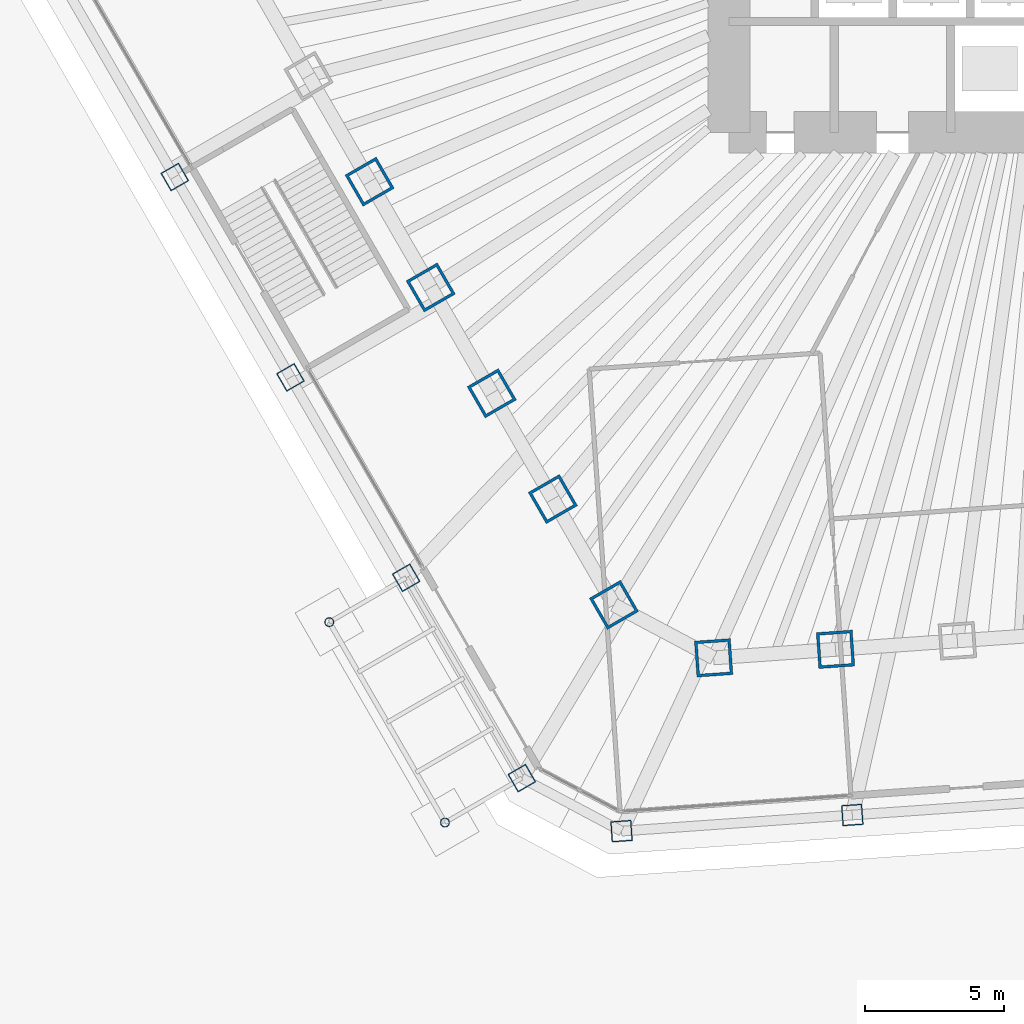
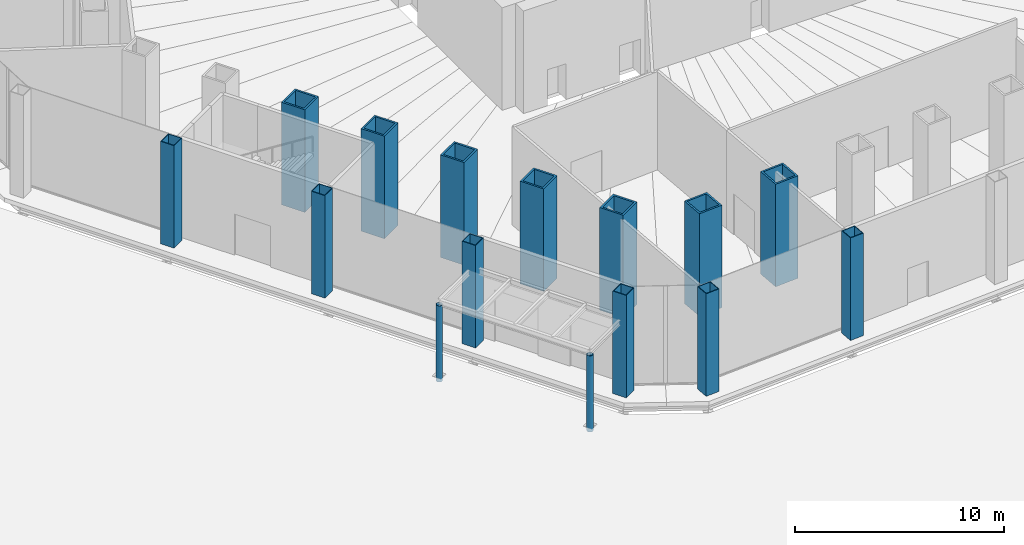
# One storey, part 2 of 45: 15 columns.
"""IFC4 building model written with IfcOpenShell, lengths in metres."""

from ifc_helpers import new_model, si_unit, direction, frame, origin, origin_2d, place, context, subcontext, project, spatial, hollow_rectangle, hollow_circle, extrude, material, material_profile, profile_set, type_object, element, save


model = new_model("IFC4")

# Units and contexts
model_context = context("Model", 3, precision=1e-05, world=origin(), true_north=direction((0.0, 1.0)))
body_context = subcontext(model_context, "Body", "Model", "MODEL_VIEW")
ifc_project = project(units=[si_unit("LENGTHUNIT", "METRE"), si_unit("AREAUNIT", "SQUARE_METRE"), si_unit("VOLUMEUNIT", "CUBIC_METRE"), si_unit("PLANEANGLEUNIT", "RADIAN"), si_unit("MASSUNIT", "GRAM", prefix="KILO")], contexts=[model_context])

# Site, building, storey
site_placement = place(None, origin())
site = spatial("IfcSite", under=ifc_project, at=site_placement, CompositionType="ELEMENT")
building_placement = place(site_placement, origin())
building = spatial("IfcBuilding", under=site, at=building_placement, Name="Qingtian Harvest Tower", CompositionType="ELEMENT")
storey_placement = place(building_placement, origin())
storey = spatial("IfcBuildingStorey", under=building, at=storey_placement, Name="L00", CompositionType="ELEMENT", Elevation=0.0)

# Columns
ifc_material_1 = material(Name="Steel SN490B", Category="steel")
ifc_material_profile_1 = material_profile(ifc_material_1, hollow_circle(Radius=0.161865234375, WallThickness=0.012451171875, at=origin_2d()), Name="CHS324x12.5")
ifc_profile_set_1 = profile_set([ifc_material_profile_1], Name="Steel SN490B")
column_type_1 = type_object("IfcColumnType", Name="Canopy column CC1 CHS324x12.5", PredefinedType="COLUMN", material=ifc_profile_set_1)
for number, where, z_axis, x_axis, name in (
    (1, (-22.23974609375, -33.879638671875, -0.300048828125), (0.0, 0.0, 1.0), (1.0, 0.0, 0.0), "Canopy column CC1 CN4 0"),
    (2, (-26.41064453125, -26.6552734375, -0.300048828125), (0.0, 0.0, 1.0), (1.0, 0.0, 0.0), "Canopy column CC1 CN4 1"),
):
    element("IfcColumn", number, at=place(storey_placement, frame(where, z_axis=z_axis, x_axis=x_axis)), inside=storey, type_object=column_type_1, Name=name, PredefinedType="COLUMN", context=body_context, shape_type="SweptSolid", body=[
        extrude(hollow_circle(Radius=0.161865234375, WallThickness=0.012451171875, at=origin_2d()), origin(), (0.0, 0.0, 1.0), 4.4599609375),
    ])
ifc_material_2 = material(Name="Steel SM570MC", Category="steel")
ifc_material_profile_2 = material_profile(ifc_material_2, hollow_rectangle(XDim=0.75, YDim=0.75, WallThickness=0.035888671875, at=origin_2d()), Name="BOX750x750x36")
ifc_profile_set_2 = profile_set([ifc_material_profile_2], Name="Steel SM570MC")
column_type_2 = type_object("IfcColumnType", Name="Podium column PC1 BOX750x750x36", PredefinedType="COLUMN", material=ifc_profile_set_2)
for number, where, z_axis, x_axis, name in (
    (3, (-7.552978515625, -33.608642578125, 0.0), (0.0, 0.0, 1.0), (0.99756405026, 0.069756473744, 0.0), "Podium column PC1 S3"),
    (4, (-19.468505859375, -32.279541015625, 0.0), (0.0, 0.0, 1.0), (0.5, -0.866025403784, 0.0), "Podium column PC1 SW0"),
    (5, (-23.639404296875, -25.055419921875, 0.0), (0.0, 0.0, 1.0), (0.5, -0.866025403784, 0.0), "Podium column PC1 SW1"),
    (6, (-27.810302734375, -17.831298828125, 0.0), (0.0, 0.0, 1.0), (0.5, -0.866025403784, 0.0), "Podium column PC1 SW2"),
    (7, (-31.981201171875, -10.60693359375, 0.0), (0.0, 0.0, 1.0), (0.5, -0.866025403784, 0.0), "Podium column PC1 SW3"),
    (8, (-15.874267578125, -34.190673828125, 0.0), (0.0, 0.0, 1.0), (0.99756405026, 0.069756473744, 0.0), "Podium column PC1 S4"),
):
    element("IfcColumn", number, at=place(storey_placement, frame(where, z_axis=z_axis, x_axis=x_axis)), inside=storey, type_object=column_type_2, Name=name, PredefinedType="COLUMN", context=body_context, shape_type="SweptSolid", body=[
        extrude(hollow_rectangle(XDim=0.75, YDim=0.75, WallThickness=0.035888671875, at=origin_2d()), origin(), (0.0, 0.0, 1.0), 6.0),
    ])
ifc_material_3 = material(Name="Steel SM570MC", Category="steel")
ifc_material_profile_3 = material_profile(ifc_material_3, hollow_rectangle(XDim=1.300048828125, YDim=1.300048828125, WallThickness=0.10009765625, at=origin_2d()), Name="BOX1300x1300x100")
ifc_profile_set_3 = profile_set([ifc_material_profile_3], Name="Steel SM570MC")
column_type_3 = type_object("IfcColumnType", Name="Tube column TC1 BOX1300x1300x100", PredefinedType="COLUMN", material=ifc_profile_set_3)
for number, where, z_axis, x_axis, name in (
    (9, (-8.158935546875, -27.636474609375, 0.0), (0.0, 0.0, 1.0), (0.99756405026, 0.069756473744, 0.0), "Tube column TC1 S5"),
    (10, (-12.552734375, -27.943603515625, 0.0), (0.0, 0.0, 1.0), (0.99756405026, 0.069756473744, 0.0), "Tube column TC1 S6"),
    (11, (-16.14697265625, -26.03271484375, 0.0), (0.0, 0.0, 1.0), (0.5, -0.866025403784, 0.0), "Tube column TC1 SW0"),
    (12, (-18.349365234375, -22.21826171875, 0.0), (0.0, 0.0, 1.0), (0.5, -0.866025403784, 0.0), "Tube column TC1 SW1"),
    (13, (-20.551513671875, -18.403564453125, 0.0), (0.0, 0.0, 1.0), (0.5, -0.866025403784, 0.0), "Tube column TC1 SW2"),
    (14, (-22.75390625, -14.589111328125, 0.0), (0.0, 0.0, 1.0), (0.5, -0.866025403784, 0.0), "Tube column TC1 SW3"),
    (15, (-24.9560546875, -10.774658203125, 0.0), (0.0, 0.0, 1.0), (0.5, -0.866025403784, 0.0), "Tube column TC1 SW4"),
):
    element("IfcColumn", number, at=place(storey_placement, frame(where, z_axis=z_axis, x_axis=x_axis)), inside=storey, type_object=column_type_3, Name=name, PredefinedType="COLUMN", context=body_context, shape_type="SweptSolid", body=[
        extrude(hollow_rectangle(XDim=1.300048828125, YDim=1.300048828125, WallThickness=0.10009765625, at=origin_2d()), origin(), (0.0, 0.0, 1.0), 6.0),
    ])

save(model, "model.ifc")
